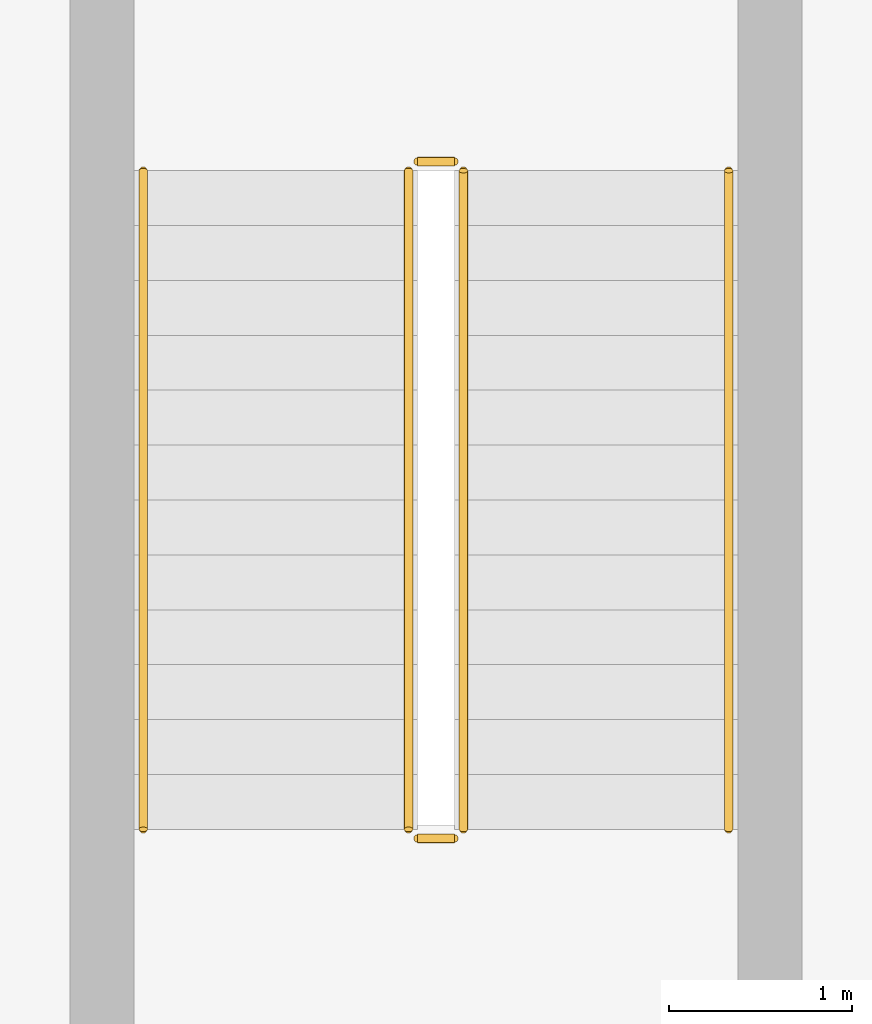
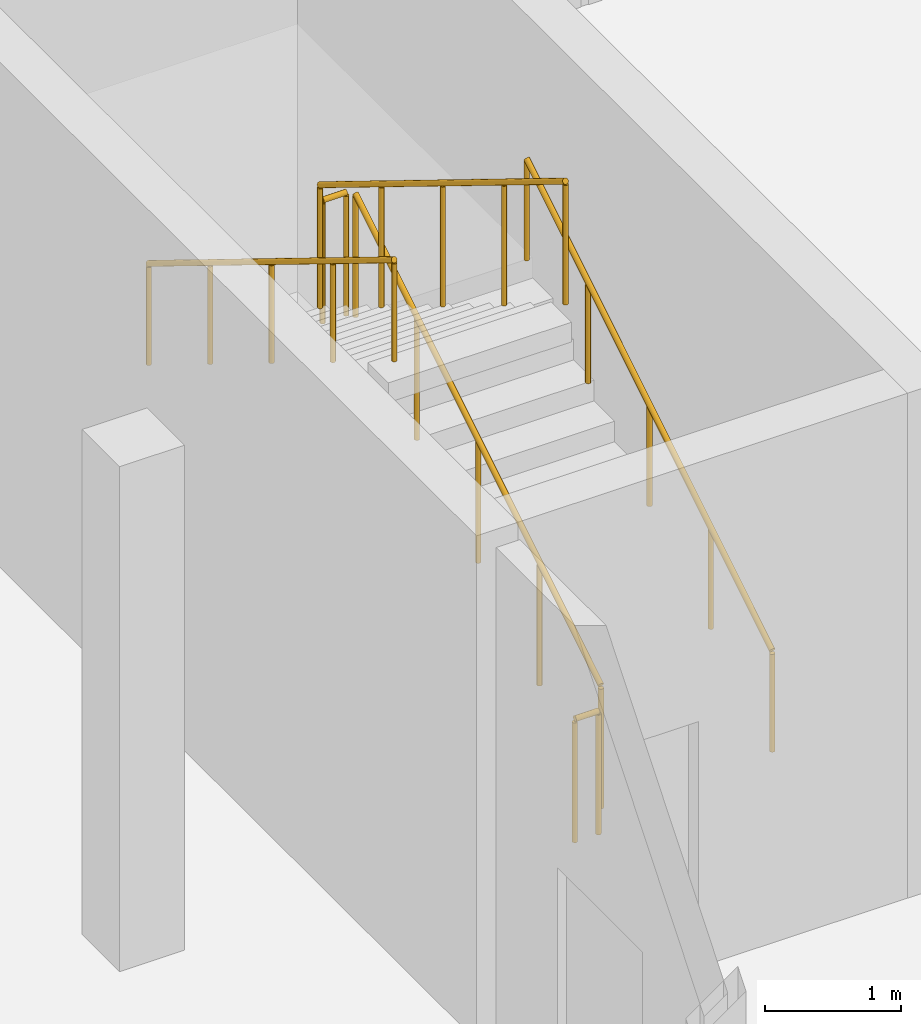
# One storey, part 78 of 89: 6 railings.
"""IFC4 building model written with IfcOpenShell, lengths in metres."""

from ifc_helpers import new_model, si_unit, direction, frame, origin, origin_2d, place, context, subcontext, project, spatial, circle, extrude, material, type_object, element, save


model = new_model("IFC4")

# Units and contexts
model_context = context("Model", 3, precision=1e-05, world=origin(), true_north=direction((0.0, 1.0)))
body_context = subcontext(model_context, "Body", "Model", "MODEL_VIEW")
ifc_project = project(units=[si_unit("LENGTHUNIT", "METRE"), si_unit("AREAUNIT", "SQUARE_METRE"), si_unit("VOLUMEUNIT", "CUBIC_METRE"), si_unit("PLANEANGLEUNIT", "RADIAN"), si_unit("MASSUNIT", "GRAM", prefix="KILO")], contexts=[model_context])

# Site, building, storey
site_placement = place(None, origin())
site = spatial("IfcSite", under=ifc_project, at=site_placement, CompositionType="ELEMENT")
building_placement = place(site_placement, origin())
building = spatial("IfcBuilding", under=site, at=building_placement, Name="Soyqirgoq Riverine Aquarium", CompositionType="ELEMENT")
storey_placement = place(building_placement, frame((0.0, 0.0, 5.39990234375)))
storey = spatial("IfcBuildingStorey", under=building, at=storey_placement, Name="L02", CompositionType="ELEMENT", Elevation=5.39990234375)

# Railings
ifc_material_1 = material(Name="Brushed stainless steel 316L tubular handrail", Category="steel")
railing_type_1 = type_object("IfcRailingType", Name="StairPitchHandrail_920", PredefinedType="HANDRAIL", material=ifc_material_1)
railing_1_placement = place(storey_placement, frame((127.75, 9.050048828125, 0.184814453125)))
element("IfcRailing", 1, at=railing_1_placement, inside=storey, type_object=railing_type_1, Name="L02 ST-7 stair handrail 1", PredefinedType="HANDRAIL", context=body_context, shape_type="SweptSolid", body=[
    extrude(circle(Radius=0.02392578125, at=origin_2d()), frame((0.0, 0.0, 0.89990234375), z_axis=(0.0, 0.851654350407, 0.524103870844), x_axis=(-1.0, 0.0, 0.0)), (0.0, 0.0, 1.0), 4.226806640625),
    extrude(circle(Radius=0.02099609375, at=origin_2d()), origin(), (0.0, 0.0, 1.0), 0.875732421875),
    extrude(circle(Radius=0.02099609375, at=origin_2d()), frame((0.0, 0.89990234375, 0.5537109375)), (0.0, 0.0, 1.0), 0.875732421875),
    extrude(circle(Radius=0.02099609375, at=origin_2d()), frame((0.0, 1.7998046875, 1.107666015625)), (0.0, 0.0, 1.0), 0.875732421875),
    extrude(circle(Radius=0.02099609375, at=origin_2d()), frame((0.0, 2.699951171875, 1.66162109375)), (0.0, 0.0, 1.0), 0.875732421875),
    extrude(circle(Radius=0.02099609375, at=origin_2d()), frame((0.0, 3.599853515625, 2.21533203125)), (0.0, 0.0, 1.0), 0.875732421875),
])
railing_2_placement = place(storey_placement, frame((124.550048828125, 12.64990234375, 2.584716796875)))
element("IfcRailing", 2, at=railing_2_placement, inside=storey, type_object=railing_type_1, Name="L02 ST-7 stair handrail 2", PredefinedType="HANDRAIL", context=body_context, shape_type="SweptSolid", body=[
    extrude(circle(Radius=0.02392578125, at=origin_2d()), frame((0.0, 0.0, 0.89990234375), z_axis=(0.0, -0.851654350407, 0.524103870844), x_axis=(1.0, 0.0, 0.0)), (0.0, 0.0, 1.0), 4.226806640625),
    extrude(circle(Radius=0.02099609375, at=origin_2d()), origin(), (0.0, 0.0, 1.0), 0.875732421875),
    extrude(circle(Radius=0.02099609375, at=origin_2d()), frame((0.0, -0.89990234375, 0.5537109375)), (0.0, 0.0, 1.0), 0.875732421875),
    extrude(circle(Radius=0.02099609375, at=origin_2d()), frame((0.0, -1.7998046875, 1.107666015625)), (0.0, 0.0, 1.0), 0.875732421875),
    extrude(circle(Radius=0.02099609375, at=origin_2d()), frame((0.0, -2.699951171875, 1.66162109375)), (0.0, 0.0, 1.0), 0.875732421875),
    extrude(circle(Radius=0.02099609375, at=origin_2d()), frame((0.0, -3.599853515625, 2.21533203125)), (0.0, 0.0, 1.0), 0.875732421875),
])
ifc_material_2 = material(Name="Painted steel infill stair-well guardrail", Category="steel")
railing_type_2 = type_object("IfcRailingType", Name="StairWellGuard_1120", PredefinedType="GUARDRAIL", material=ifc_material_2)
railing_3_placement = place(storey_placement, frame((126.300048828125, 9.050048828125, 0.184814453125)))
element("IfcRailing", 3, at=railing_3_placement, inside=storey, type_object=railing_type_2, Name="L02 ST-7 stair guard 1", PredefinedType="GUARDRAIL", context=body_context, shape_type="SweptSolid", body=[
    extrude(circle(Radius=0.02392578125, at=origin_2d()), frame((0.0, 0.0, 1.09619140625), z_axis=(0.0, 0.851654350407, 0.524103870844), x_axis=(-1.0, 0.0, 0.0)), (0.0, 0.0, 1.0), 4.226806640625),
    extrude(circle(Radius=0.02099609375, at=origin_2d()), origin(), (0.0, 0.0, 1.0), 1.072021484375),
    extrude(circle(Radius=0.02099609375, at=origin_2d()), frame((0.0, 0.89990234375, 0.5537109375)), (0.0, 0.0, 1.0), 1.072021484375),
    extrude(circle(Radius=0.02099609375, at=origin_2d()), frame((0.0, 1.7998046875, 1.107666015625)), (0.0, 0.0, 1.0), 1.072021484375),
    extrude(circle(Radius=0.02099609375, at=origin_2d()), frame((0.0, 2.699951171875, 1.66162109375)), (0.0, 0.0, 1.0), 1.072021484375),
    extrude(circle(Radius=0.02099609375, at=origin_2d()), frame((0.0, 3.599853515625, 2.21533203125)), (0.0, 0.0, 1.0), 1.072021484375),
])
railing_4_placement = place(storey_placement, frame((126.25, 12.699951171875, 2.400146484375)))
element("IfcRailing", 4, at=railing_4_placement, inside=storey, type_object=railing_type_2, Name="L02 ST-7 stair guard 2", PredefinedType="GUARDRAIL", context=body_context, shape_type="SweptSolid", body=[
    extrude(circle(Radius=0.02392578125, at=origin_2d()), frame((0.0, 0.0, 1.09619140625), z_axis=(-1.0, 0.0, 0.0), x_axis=(0.0, -1.0, 0.0)), (0.0, 0.0, 1.0), 0.199951171875),
    extrude(circle(Radius=0.02099609375, at=origin_2d()), origin(), (0.0, 0.0, 1.0), 1.072021484375),
    extrude(circle(Radius=0.02099609375, at=origin_2d()), frame((-0.199951171875, 0.0, 0.0)), (0.0, 0.0, 1.0), 1.072021484375),
])
railing_5_placement = place(storey_placement, frame((126.0, 12.64990234375, 2.584716796875)))
element("IfcRailing", 5, at=railing_5_placement, inside=storey, type_object=railing_type_2, Name="L02 ST-7 stair guard 3", PredefinedType="GUARDRAIL", context=body_context, shape_type="SweptSolid", body=[
    extrude(circle(Radius=0.02392578125, at=origin_2d()), frame((0.0, 0.0, 1.09619140625), z_axis=(0.0, -0.851654350407, 0.524103870844), x_axis=(1.0, 0.0, 0.0)), (0.0, 0.0, 1.0), 4.226806640625),
    extrude(circle(Radius=0.02099609375, at=origin_2d()), origin(), (0.0, 0.0, 1.0), 1.072021484375),
    extrude(circle(Radius=0.02099609375, at=origin_2d()), frame((0.0, -0.89990234375, 0.5537109375)), (0.0, 0.0, 1.0), 1.072021484375),
    extrude(circle(Radius=0.02099609375, at=origin_2d()), frame((0.0, -1.7998046875, 1.107666015625)), (0.0, 0.0, 1.0), 1.072021484375),
    extrude(circle(Radius=0.02099609375, at=origin_2d()), frame((0.0, -2.699951171875, 1.66162109375)), (0.0, 0.0, 1.0), 1.072021484375),
    extrude(circle(Radius=0.02099609375, at=origin_2d()), frame((0.0, -3.599853515625, 2.21533203125)), (0.0, 0.0, 1.0), 1.072021484375),
])
railing_6_placement = place(storey_placement, frame((126.25, 9.0, 0.0)))
element("IfcRailing", 6, at=railing_6_placement, inside=storey, type_object=railing_type_2, Name="L02 ST-7 stair guard 4", PredefinedType="GUARDRAIL", context=body_context, shape_type="SweptSolid", body=[
    extrude(circle(Radius=0.02392578125, at=origin_2d()), frame((0.0, 0.0, 1.09619140625), z_axis=(-1.0, 0.0, 0.0), x_axis=(0.0, -1.0, 0.0)), (0.0, 0.0, 1.0), 0.199951171875),
    extrude(circle(Radius=0.02099609375, at=origin_2d()), origin(), (0.0, 0.0, 1.0), 1.072021484375),
    extrude(circle(Radius=0.02099609375, at=origin_2d()), frame((-0.199951171875, 0.0, 0.0)), (0.0, 0.0, 1.0), 1.072021484375),
])

save(model, "model.ifc")
